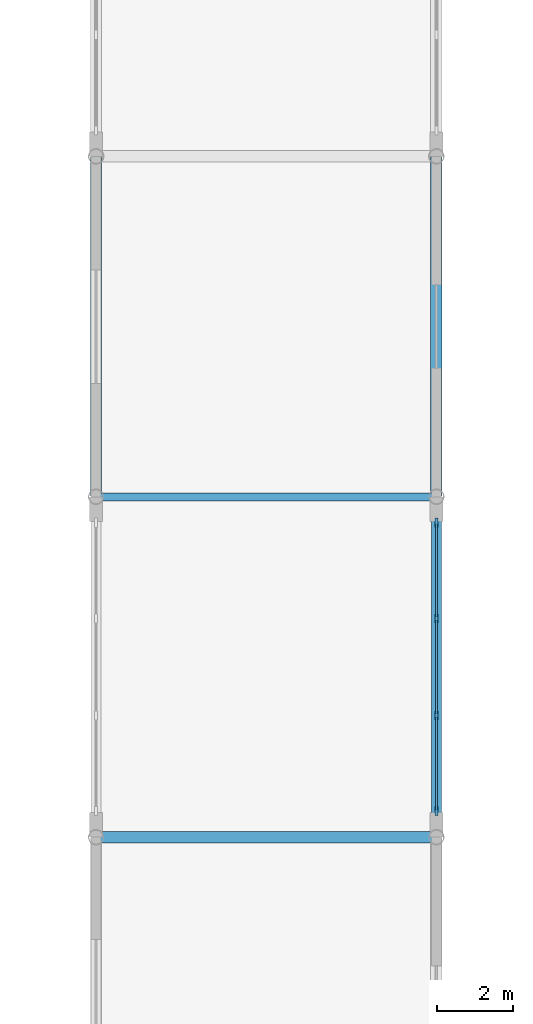
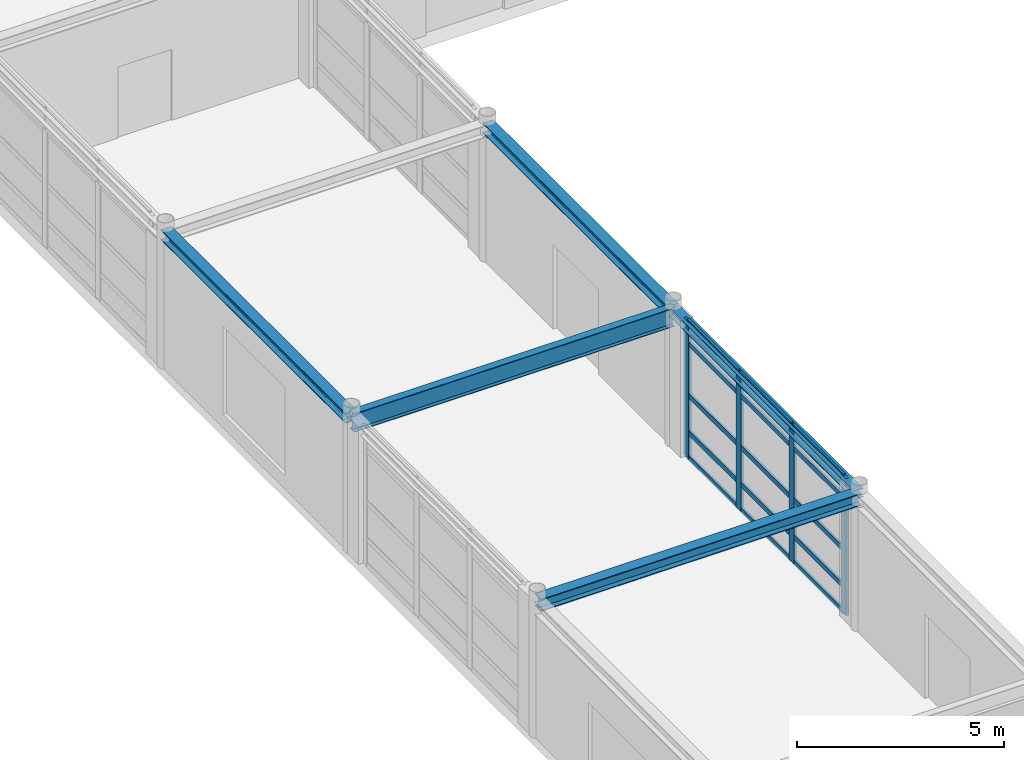
# One storey, part 27 of 72: 19 members, 5 beams, 1 element without a shape of its own.
"""IFC4 building model written with IfcOpenShell, lengths in metres."""

from ifc_helpers import new_model, si_unit, direction, frame, origin, origin_2d, place, context, subcontext, project, spatial, rectangle, i_section, extrude, material, material_profile, profile_set, type_object, element, aggregate, save


model = new_model("IFC4")

# Units and contexts
model_context = context("Model", 3, precision=1e-05, world=origin(), true_north=direction((0.0, 1.0)))
body_context = subcontext(model_context, "Body", "Model", "MODEL_VIEW")
ifc_project = project(units=[si_unit("LENGTHUNIT", "METRE"), si_unit("AREAUNIT", "SQUARE_METRE"), si_unit("VOLUMEUNIT", "CUBIC_METRE"), si_unit("PLANEANGLEUNIT", "RADIAN"), si_unit("MASSUNIT", "GRAM", prefix="KILO")], contexts=[model_context])

# Site, building, storey
site_placement = place(None, origin())
site = spatial("IfcSite", under=ifc_project, at=site_placement, CompositionType="ELEMENT")
building_placement = place(site_placement, origin())
building = spatial("IfcBuilding", under=site, at=building_placement, Name="Palais des Congres Ocreval", CompositionType="ELEMENT")
storey_placement = place(building_placement, origin())
storey = spatial("IfcBuildingStorey", under=building, at=storey_placement, Name="L00", CompositionType="ELEMENT", Elevation=0.0)

# Beam
ifc_material_1 = material(Name="Steel S355", Category="steel")
ifc_material_profile_1 = material_profile(ifc_material_1, i_section(OverallWidth=0.2099609375, OverallDepth=0.550048828125, WebThickness=0.010986328125, FlangeThickness=0.01708984375, at=origin_2d()), Name="IPE 550")
ifc_profile_set_1 = profile_set([ifc_material_profile_1], Name="Steel S355")
beam_type_1 = type_object("IfcBeamType", Name="Composite Beam IPE 550 Steel S355", PredefinedType="BEAM", material=ifc_profile_set_1)
beam_1_placement = place(storey_placement, frame((72.02001953125, 54.0, 3.780029296875), z_axis=(1.0, 0.0, 0.0), x_axis=(0.0, 1.0, 0.0)))
element("IfcBeam", 1, at=beam_1_placement, inside=storey, type_object=beam_type_1, Name="Beam B05 L00", PredefinedType="BEAM", context=body_context, shape_type="SweptSolid", body=[
    extrude(i_section(OverallWidth=0.2099609375, OverallDepth=0.550048828125, WebThickness=0.010986328125, FlangeThickness=0.01708984375, at=origin_2d()), origin(), (0.0, 0.0, 1.0), 8.9599609375),
])

# Curtain wall, members
ifc_material_2 = material(Name="Anodized bronze aluminium and low-E glass", Category="glass")
curtain_wall_type = type_object("IfcCurtainWallType", Name="Unitised Curtain Wall 7900x4060", PredefinedType="USERDEFINED", material=ifc_material_2)
curtain_wall_placement = place(storey_placement, origin())
curtain_wall = element("IfcCurtainWall", 2, at=curtain_wall_placement, inside=storey, type_object=curtain_wall_type, Name="Unitised Curtain Wall CW01 L00", ObjectType="UNITISED CURTAIN WALL", PredefinedType="USERDEFINED")
ifc_material_3 = material(Name="Anodized bronze aluminium", Category="aluminium")
ifc_material_profile_2 = material_profile(ifc_material_3, rectangle(XDim=0.074951171875, YDim=0.239990234375, at=origin_2d()), Name="ALU 75x240")
ifc_profile_set_2 = profile_set([ifc_material_profile_2], Name="Anodized bronze aluminium")
member_type_1 = type_object("IfcMemberType", Name="Curtain Wall Mullion ALU 75x240", PredefinedType="MULLION", material=ifc_profile_set_2)
member_1_placement = place(storey_placement, frame((81.0, 53.3125, 0.0), z_axis=(0.0, 0.0, 1.0), x_axis=(1.0, 0.0, 0.0)))
member_1 = element("IfcMember", 3, at=member_1_placement, type_object=member_type_1, Name="Curtain Wall Mullion ML01", PredefinedType="MULLION", context=body_context, shape_type="SweptSolid", body=[
    extrude(rectangle(XDim=0.074951171875, YDim=0.239990234375, at=origin_2d()), origin(), (0.0, 0.0, 1.0), 4.054931640625),
])
member_2_placement = place(storey_placement, frame((81.0, 50.783203125, 0.0), z_axis=(0.0, 0.0, 1.0), x_axis=(1.0, 0.0, 0.0)))
member_2 = element("IfcMember", 4, at=member_2_placement, type_object=member_type_1, Name="Curtain Wall Mullion ML01", PredefinedType="MULLION", context=body_context, shape_type="SweptSolid", body=[
    extrude(rectangle(XDim=0.074951171875, YDim=0.239990234375, at=origin_2d()), origin(), (0.0, 0.0, 1.0), 4.054931640625),
])
member_3_placement = place(storey_placement, frame((81.0, 48.216796875, 0.0), z_axis=(0.0, 0.0, 1.0), x_axis=(1.0, 0.0, 0.0)))
member_3 = element("IfcMember", 5, at=member_3_placement, type_object=member_type_1, Name="Curtain Wall Mullion ML01", PredefinedType="MULLION", context=body_context, shape_type="SweptSolid", body=[
    extrude(rectangle(XDim=0.074951171875, YDim=0.239990234375, at=origin_2d()), origin(), (0.0, 0.0, 1.0), 4.054931640625),
])
member_4_placement = place(storey_placement, frame((81.0, 45.6875, 0.0), z_axis=(0.0, 0.0, 1.0), x_axis=(1.0, 0.0, 0.0)))
member_4 = element("IfcMember", 6, at=member_4_placement, type_object=member_type_1, Name="Curtain Wall Mullion ML01", PredefinedType="MULLION", context=body_context, shape_type="SweptSolid", body=[
    extrude(rectangle(XDim=0.074951171875, YDim=0.239990234375, at=origin_2d()), origin(), (0.0, 0.0, 1.0), 4.054931640625),
])
ifc_material_profile_3 = material_profile(ifc_material_3, rectangle(XDim=0.06005859375, YDim=0.14990234375, at=origin_2d()), Name="ALU 60x150")
ifc_profile_set_3 = profile_set([ifc_material_profile_3], Name="Anodized bronze aluminium")
member_type_2 = type_object("IfcMemberType", Name="Curtain Wall Transom ALU 60x150", PredefinedType="USERDEFINED", material=ifc_profile_set_3)
member_5_placement = place(storey_placement, frame((81.0, 53.27490234375, 0.030029296875), z_axis=(0.0, -1.0, 0.0), x_axis=(1.0, 0.0, 0.0)))
member_5 = element("IfcMember", 7, at=member_5_placement, type_object=member_type_2, Name="Curtain Wall Transom TR01", ObjectType="TRANSOM", PredefinedType="USERDEFINED", context=body_context, shape_type="SweptSolid", body=[
    extrude(rectangle(XDim=0.06005859375, YDim=0.14990234375, at=origin_2d()), origin(), (0.0, 0.0, 1.0), 2.4541015625),
])
member_6_placement = place(storey_placement, frame((81.0, 53.27490234375, 0.780029296875), z_axis=(0.0, -1.0, 0.0), x_axis=(1.0, 0.0, 0.0)))
member_6 = element("IfcMember", 8, at=member_6_placement, type_object=member_type_2, Name="Curtain Wall Transom TR01", ObjectType="TRANSOM", PredefinedType="USERDEFINED", context=body_context, shape_type="SweptSolid", body=[
    extrude(rectangle(XDim=0.06005859375, YDim=0.14990234375, at=origin_2d()), origin(), (0.0, 0.0, 1.0), 2.4541015625),
])
member_7_placement = place(storey_placement, frame((81.0, 53.27490234375, 1.872802734375), z_axis=(0.0, -1.0, 0.0), x_axis=(1.0, 0.0, 0.0)))
member_7 = element("IfcMember", 9, at=member_7_placement, type_object=member_type_2, Name="Curtain Wall Transom TR01", ObjectType="TRANSOM", PredefinedType="USERDEFINED", context=body_context, shape_type="SweptSolid", body=[
    extrude(rectangle(XDim=0.06005859375, YDim=0.14990234375, at=origin_2d()), origin(), (0.0, 0.0, 1.0), 2.4541015625),
])
member_8_placement = place(storey_placement, frame((81.0, 53.27490234375, 3.405029296875), z_axis=(0.0, -1.0, 0.0), x_axis=(1.0, 0.0, 0.0)))
member_8 = element("IfcMember", 10, at=member_8_placement, type_object=member_type_2, Name="Curtain Wall Transom TR01", ObjectType="TRANSOM", PredefinedType="USERDEFINED", context=body_context, shape_type="SweptSolid", body=[
    extrude(rectangle(XDim=0.06005859375, YDim=0.14990234375, at=origin_2d()), origin(), (0.0, 0.0, 1.0), 2.4541015625),
])
member_9_placement = place(storey_placement, frame((81.0, 53.27490234375, 4.02490234375), z_axis=(0.0, -1.0, 0.0), x_axis=(1.0, 0.0, 0.0)))
member_9 = element("IfcMember", 11, at=member_9_placement, type_object=member_type_2, Name="Curtain Wall Transom TR01", ObjectType="TRANSOM", PredefinedType="USERDEFINED", context=body_context, shape_type="SweptSolid", body=[
    extrude(rectangle(XDim=0.06005859375, YDim=0.14990234375, at=origin_2d()), origin(), (0.0, 0.0, 1.0), 2.4541015625),
])
member_10_placement = place(storey_placement, frame((81.0, 50.745849609375, 0.030029296875), z_axis=(0.0, -1.0, 0.0), x_axis=(1.0, 0.0, 0.0)))
member_10 = element("IfcMember", 12, at=member_10_placement, type_object=member_type_2, Name="Curtain Wall Transom TR01", ObjectType="TRANSOM", PredefinedType="USERDEFINED", context=body_context, shape_type="SweptSolid", body=[
    extrude(rectangle(XDim=0.06005859375, YDim=0.14990234375, at=origin_2d()), origin(), (0.0, 0.0, 1.0), 2.49169921875),
])
member_11_placement = place(storey_placement, frame((81.0, 50.745849609375, 0.780029296875), z_axis=(0.0, -1.0, 0.0), x_axis=(1.0, 0.0, 0.0)))
member_11 = element("IfcMember", 13, at=member_11_placement, type_object=member_type_2, Name="Curtain Wall Transom TR01", ObjectType="TRANSOM", PredefinedType="USERDEFINED", context=body_context, shape_type="SweptSolid", body=[
    extrude(rectangle(XDim=0.06005859375, YDim=0.14990234375, at=origin_2d()), origin(), (0.0, 0.0, 1.0), 2.49169921875),
])
member_12_placement = place(storey_placement, frame((81.0, 50.745849609375, 1.872802734375), z_axis=(0.0, -1.0, 0.0), x_axis=(1.0, 0.0, 0.0)))
member_12 = element("IfcMember", 14, at=member_12_placement, type_object=member_type_2, Name="Curtain Wall Transom TR01", ObjectType="TRANSOM", PredefinedType="USERDEFINED", context=body_context, shape_type="SweptSolid", body=[
    extrude(rectangle(XDim=0.06005859375, YDim=0.14990234375, at=origin_2d()), origin(), (0.0, 0.0, 1.0), 2.49169921875),
])
member_13_placement = place(storey_placement, frame((81.0, 50.745849609375, 3.405029296875), z_axis=(0.0, -1.0, 0.0), x_axis=(1.0, 0.0, 0.0)))
member_13 = element("IfcMember", 15, at=member_13_placement, type_object=member_type_2, Name="Curtain Wall Transom TR01", ObjectType="TRANSOM", PredefinedType="USERDEFINED", context=body_context, shape_type="SweptSolid", body=[
    extrude(rectangle(XDim=0.06005859375, YDim=0.14990234375, at=origin_2d()), origin(), (0.0, 0.0, 1.0), 2.49169921875),
])
member_14_placement = place(storey_placement, frame((81.0, 50.745849609375, 4.02490234375), z_axis=(0.0, -1.0, 0.0), x_axis=(1.0, 0.0, 0.0)))
member_14 = element("IfcMember", 16, at=member_14_placement, type_object=member_type_2, Name="Curtain Wall Transom TR01", ObjectType="TRANSOM", PredefinedType="USERDEFINED", context=body_context, shape_type="SweptSolid", body=[
    extrude(rectangle(XDim=0.06005859375, YDim=0.14990234375, at=origin_2d()), origin(), (0.0, 0.0, 1.0), 2.49169921875),
])
member_15_placement = place(storey_placement, frame((81.0, 48.17919921875, 0.030029296875), z_axis=(0.0, -1.0, 0.0), x_axis=(1.0, 0.0, 0.0)))
member_15 = element("IfcMember", 17, at=member_15_placement, type_object=member_type_2, Name="Curtain Wall Transom TR01", ObjectType="TRANSOM", PredefinedType="USERDEFINED", context=body_context, shape_type="SweptSolid", body=[
    extrude(rectangle(XDim=0.06005859375, YDim=0.14990234375, at=origin_2d()), origin(), (0.0, 0.0, 1.0), 2.4541015625),
])
member_16_placement = place(storey_placement, frame((81.0, 48.17919921875, 0.780029296875), z_axis=(0.0, -1.0, 0.0), x_axis=(1.0, 0.0, 0.0)))
member_16 = element("IfcMember", 18, at=member_16_placement, type_object=member_type_2, Name="Curtain Wall Transom TR01", ObjectType="TRANSOM", PredefinedType="USERDEFINED", context=body_context, shape_type="SweptSolid", body=[
    extrude(rectangle(XDim=0.06005859375, YDim=0.14990234375, at=origin_2d()), origin(), (0.0, 0.0, 1.0), 2.4541015625),
])
member_17_placement = place(storey_placement, frame((81.0, 48.17919921875, 1.872802734375), z_axis=(0.0, -1.0, 0.0), x_axis=(1.0, 0.0, 0.0)))
member_17 = element("IfcMember", 19, at=member_17_placement, type_object=member_type_2, Name="Curtain Wall Transom TR01", ObjectType="TRANSOM", PredefinedType="USERDEFINED", context=body_context, shape_type="SweptSolid", body=[
    extrude(rectangle(XDim=0.06005859375, YDim=0.14990234375, at=origin_2d()), origin(), (0.0, 0.0, 1.0), 2.4541015625),
])
member_18_placement = place(storey_placement, frame((81.0, 48.17919921875, 3.405029296875), z_axis=(0.0, -1.0, 0.0), x_axis=(1.0, 0.0, 0.0)))
member_18 = element("IfcMember", 20, at=member_18_placement, type_object=member_type_2, Name="Curtain Wall Transom TR01", ObjectType="TRANSOM", PredefinedType="USERDEFINED", context=body_context, shape_type="SweptSolid", body=[
    extrude(rectangle(XDim=0.06005859375, YDim=0.14990234375, at=origin_2d()), origin(), (0.0, 0.0, 1.0), 2.4541015625),
])
member_19_placement = place(storey_placement, frame((81.0, 48.17919921875, 4.02490234375), z_axis=(0.0, -1.0, 0.0), x_axis=(1.0, 0.0, 0.0)))
member_19 = element("IfcMember", 21, at=member_19_placement, type_object=member_type_2, Name="Curtain Wall Transom TR01", ObjectType="TRANSOM", PredefinedType="USERDEFINED", context=body_context, shape_type="SweptSolid", body=[
    extrude(rectangle(XDim=0.06005859375, YDim=0.14990234375, at=origin_2d()), origin(), (0.0, 0.0, 1.0), 2.4541015625),
])
aggregate(curtain_wall, [member_1, member_2, member_3, member_4, member_5, member_6, member_7, member_8, member_9, member_10, member_11, member_12, member_13, member_14, member_15, member_16, member_17, member_18, member_19])

# Beams
ifc_material_profile_4 = material_profile(ifc_material_1, i_section(OverallWidth=0.260009765625, OverallDepth=0.260009765625, WebThickness=0.010009765625, FlangeThickness=0.017578125, at=origin_2d()), Name="HEB 260")
ifc_profile_set_4 = profile_set([ifc_material_profile_4], Name="Steel S355")
beam_type_2 = type_object("IfcBeamType", Name="Opening Lintel HEB 260 Steel S355", PredefinedType="LINTEL", material=ifc_profile_set_4)
beam_2_placement = place(storey_placement, frame((81.0, 45.02001953125, 3.925048828125), z_axis=(0.0, 1.0, 0.0), x_axis=(-1.0, 0.0, 0.0)))
element("IfcBeam", 22, at=beam_2_placement, inside=storey, type_object=beam_type_2, Name="Girder LN01 L00", PredefinedType="LINTEL", context=body_context, shape_type="SweptSolid", body=[
    extrude(i_section(OverallWidth=0.260009765625, OverallDepth=0.260009765625, WebThickness=0.010009765625, FlangeThickness=0.017578125, at=origin_2d()), origin(), (0.0, 0.0, 1.0), 8.9599609375),
])
ifc_material_profile_5 = material_profile(ifc_material_1, i_section(OverallWidth=0.300048828125, OverallDepth=0.300048828125, WebThickness=0.010986328125, FlangeThickness=0.01904296875, at=origin_2d()), Name="HEB 300")
ifc_profile_set_5 = profile_set([ifc_material_profile_5], Name="Steel S355")
beam_type_3 = type_object("IfcBeamType", Name="Perimeter Spandrel HEB 300 Steel S355", PredefinedType="SPANDREL", material=ifc_profile_set_5)
for number, where, z_axis, x_axis, name in (
    (23, (72.0, 54.02001953125, 3.905029296875), (0.0, 1.0, 0.0), (-1.0, 0.0, 0.0), "Girder SP02 L00"),
    (24, (81.0, 54.02001953125, 3.905029296875), (0.0, 1.0, 0.0), (-1.0, 0.0, 0.0), "Girder SP02 L00"),
):
    element("IfcBeam", number, at=place(storey_placement, frame(where, z_axis=z_axis, x_axis=x_axis)), inside=storey, type_object=beam_type_3, Name=name, PredefinedType="SPANDREL", context=body_context, shape_type="SweptSolid", body=[
        extrude(i_section(OverallWidth=0.300048828125, OverallDepth=0.300048828125, WebThickness=0.010986328125, FlangeThickness=0.01904296875, at=origin_2d()), origin(), (0.0, 0.0, 1.0), 8.9599609375),
    ])
ifc_material_profile_6 = material_profile(ifc_material_1, i_section(OverallWidth=0.300048828125, OverallDepth=0.360107421875, WebThickness=0.012451171875, FlangeThickness=0.0224609375, at=origin_2d()), Name="HEB 360")
ifc_profile_set_6 = profile_set([ifc_material_profile_6], Name="Steel S355")
beam_type_4 = type_object("IfcBeamType", Name="Perimeter Spandrel HEB 360 Steel S355", PredefinedType="SPANDREL", material=ifc_profile_set_6)
beam_3_placement = place(storey_placement, frame((72.02001953125, 45.0, 3.875), z_axis=(1.0, 0.0, 0.0), x_axis=(0.0, 1.0, 0.0)))
element("IfcBeam", 25, at=beam_3_placement, inside=storey, type_object=beam_type_4, Name="Beam SP03 L00", PredefinedType="SPANDREL", context=body_context, shape_type="SweptSolid", body=[
    extrude(i_section(OverallWidth=0.300048828125, OverallDepth=0.360107421875, WebThickness=0.012451171875, FlangeThickness=0.0224609375, at=origin_2d()), origin(), (0.0, 0.0, 1.0), 8.9599609375),
])

save(model, "model.ifc")
